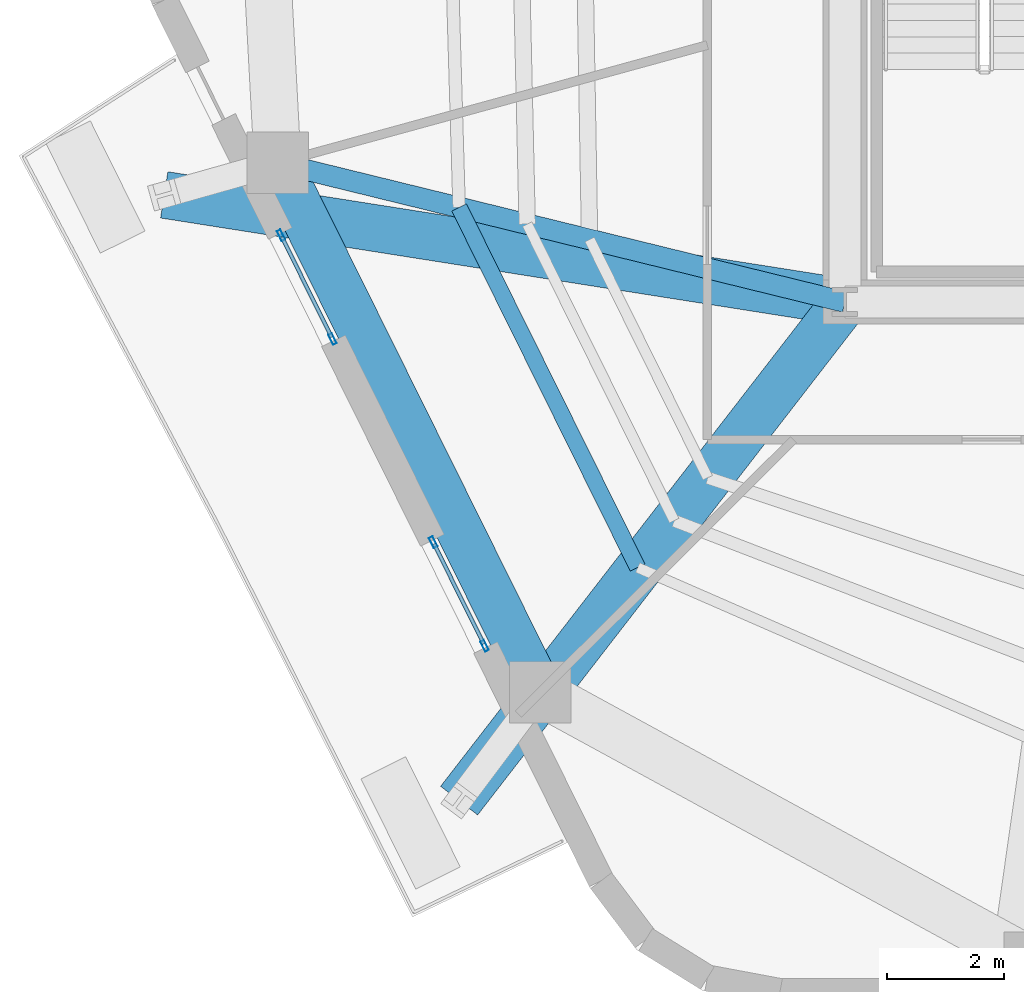
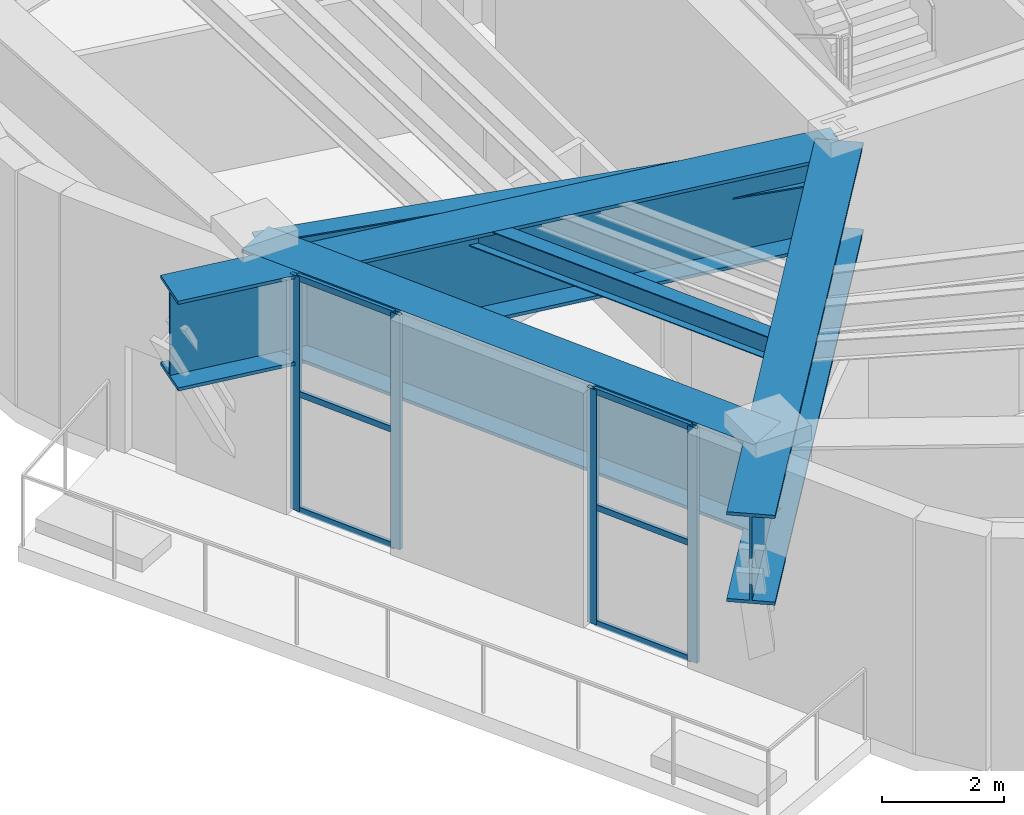
# One storey, part 2 of 18: 10 members, 5 beams, 2 elements without a shape of their own.
"""IFC4 building model written with IfcOpenShell, lengths in metres."""

import ifcopenshell
import ifcopenshell.guid

model = None  # the IFC model being written
_history = None  # IfcOwnerHistory: only IFC2X3 demands one
_inside = {}  # id of a spatial element -> (the spatial element, [elements in it])
_under = {}  # id of a project, library or spatial element -> (it, [spatial elements below it])
_declared = {}  # id of a project -> (the project, [libraries it declares])
_typed = {}  # id of a type object -> (the type object, [elements of that type])
_made_of = {}  # id of a material, layer set ... -> (it, [elements and type objects made of it])


def new_model(schema):
    """Start an empty IFC model of exactly this schema.

    Asked for "IFC4X3", IfcOpenShell would pick the latest addendum, in which some entities
    have other attributes; the version numbers below select the first issue.
    IFC2X3 requires an IfcOwnerHistory on every rooted entity: one is made here for all.
    """
    global model, _history
    if schema == "IFC4X3":
        model = ifcopenshell.file(schema_version=(4, 3, 0, 0))
    else:
        model = ifcopenshell.file(schema=schema)
    _inside.clear()
    _under.clear()
    _declared.clear()
    _typed.clear()
    _made_of.clear()
    _history = None
    if model.schema == "IFC2X3":
        org = make("IfcOrganization", Name="unknown")
        user = make(
            "IfcPersonAndOrganization",
            ThePerson=make("IfcPerson", FamilyName="unknown"),
            TheOrganization=org,
        )
        app = make(
            "IfcApplication",
            ApplicationDeveloper=org,
            Version="unknown",
            ApplicationFullName="unknown",
            ApplicationIdentifier="unknown",
        )
        _history = make(
            "IfcOwnerHistory",
            OwningUser=user,
            OwningApplication=app,
            ChangeAction="ADDED",
            CreationDate=0,
        )
    return model


def make(cls, **values):
    """One entity of the class cls with the attributes given. An attribute that is None is left unset."""
    return model.create_entity(
        cls, **{name: value for name, value in values.items() if value is not None}
    )


def rooted(cls, **values):
    """An entity with a GlobalId (a new one), such as an element, a storey or a relation."""
    return make(cls, GlobalId=ifcopenshell.guid.new(), OwnerHistory=_history, **values)


def si_unit(unit_type, name, prefix=None):
    """IfcSIUnit, for example si_unit("LENGTHUNIT", "METRE", prefix="MILLI")."""
    return make("IfcSIUnit", UnitType=unit_type, Prefix=prefix, Name=name)


def assignment(units):
    """IfcUnitAssignment: the units of a project."""
    return None if units is None else make("IfcUnitAssignment", Units=units)


def point(xyz):
    """IfcCartesianPoint."""
    return None if xyz is None else make("IfcCartesianPoint", Coordinates=xyz)


def direction(xyz):
    """IfcDirection."""
    return None if xyz is None else make("IfcDirection", DirectionRatios=xyz)


def frame(location, z_axis=None, x_axis=None):
    """IfcAxis2Placement3D, a coordinate frame: its origin and axes. An axis left out is left unset."""
    return make(
        "IfcAxis2Placement3D",
        Location=point(location),
        Axis=direction(z_axis),
        RefDirection=direction(x_axis),
    )


def frame_2d(location, x_axis=None):
    """IfcAxis2Placement2D, a coordinate frame in the plane: its origin and x axis."""
    return make(
        "IfcAxis2Placement2D", Location=point(location), RefDirection=direction(x_axis)
    )


def origin():
    """The frame at (0, 0, 0) with its axes left unset."""
    return frame((0.0, 0.0, 0.0))


def origin_2d():
    """The frame at (0, 0) in the plane with its x axis left unset."""
    return frame_2d((0.0, 0.0))


def place(relative_to, where):
    """IfcLocalPlacement: puts the frame where relative to a parent placement (None: the world)."""
    return make(
        "IfcLocalPlacement", PlacementRelTo=relative_to, RelativePlacement=where
    )


def context(
    kind, dimensions, precision=None, world=None, true_north=None, identifier=None
):
    """IfcGeometricRepresentationContext, for example the 3D "Model" context."""
    return make(
        "IfcGeometricRepresentationContext",
        ContextIdentifier=identifier,
        ContextType=kind,
        CoordinateSpaceDimension=dimensions,
        Precision=precision,
        WorldCoordinateSystem=world,
        TrueNorth=true_north,
    )


def subcontext(parent, identifier, kind, view, scale=None):
    """IfcGeometricRepresentationSubContext, for example "Body" below "Model"."""
    return make(
        "IfcGeometricRepresentationSubContext",
        ContextIdentifier=identifier,
        ContextType=kind,
        ParentContext=parent,
        TargetScale=scale,
        TargetView=view,
    )


def project(units=None, contexts=None):
    """IfcProject with its units and contexts."""
    return rooted(
        "IfcProject",
        Name="project",
        RepresentationContexts=contexts,
        UnitsInContext=assignment(units),
    )


def spatial(cls, under=None, at=None, **own):
    """A site, building, storey or space (cls), placed at a placement, below another one or the project."""
    s = rooted(cls, ObjectPlacement=at, **own)
    if under is not None:
        _under.setdefault(under.id(), (under, []))[1].append(s)
    return s


def profile(cls, at=None, kind="AREA", **sizes):
    """A parametric profile (cls). Its sizes go by their IFC names, for example OverallWidth=200.0."""
    return make(cls, ProfileType=kind, Position=at, **sizes)


def hollow_rectangle(**sizes):
    """IfcRectangleHollowProfileDef."""
    return profile("IfcRectangleHollowProfileDef", **sizes)


def i_section(**sizes):
    """IfcIShapeProfileDef."""
    return profile("IfcIShapeProfileDef", **sizes)


def extrude(swept, where, along, depth):
    """IfcExtrudedAreaSolid: the profile swept, set in the frame where, extruded along a direction by depth."""
    return make(
        "IfcExtrudedAreaSolid",
        SweptArea=swept,
        Position=where,
        ExtrudedDirection=direction(along),
        Depth=depth,
    )


def shape(context_of_items, identifier, shape_type, items):
    """IfcShapeRepresentation: the items that make up one representation, for example the "Body"."""
    return make(
        "IfcShapeRepresentation",
        ContextOfItems=context_of_items,
        RepresentationIdentifier=identifier,
        RepresentationType=shape_type,
        Items=items,
    )


def material(Name=None, Category=None):
    """IfcMaterial."""
    return make("IfcMaterial", Name=Name, Category=Category)


def layer(
    of_material, thickness, ventilated=None, Name=None, Category=None, Priority=None
):
    """IfcMaterialLayer: one layer of a wall or slab, of a material (None: an air gap)."""
    return make(
        "IfcMaterialLayer",
        Material=of_material,
        LayerThickness=thickness,
        IsVentilated=ventilated,
        Name=Name,
        Category=Category,
        Priority=Priority,
    )


def layer_set(layers, Name=None):
    """IfcMaterialLayerSet."""
    return make("IfcMaterialLayerSet", MaterialLayers=layers, LayerSetName=Name)


def material_profile(
    of_material, cross_section, Name=None, Category=None, Priority=None
):
    """IfcMaterialProfile: a cross section and its material."""
    return make(
        "IfcMaterialProfile",
        Name=Name,
        Material=of_material,
        Profile=cross_section,
        Priority=Priority,
        Category=Category,
    )


def profile_set(profiles, Name=None, composite=None):
    """IfcMaterialProfileSet."""
    return make(
        "IfcMaterialProfileSet",
        Name=Name,
        MaterialProfiles=profiles,
        CompositeProfile=composite,
    )


def made_of(thing, what):
    """Note that an element or type object is made of a material, layer set ...; save() writes the relation."""
    if what is not None:
        _made_of.setdefault(what.id(), (what, []))[1].append(thing)
    return thing


def type_object(cls, material=None, **own):
    """A type object (cls), such as IfcWallType, which elements share."""
    return made_of(rooted(cls, **own), material)


def element(
    cls,
    number,
    at=None,
    inside=None,
    cuts=None,
    type_object=None,
    material=None,
    context=None,
    identifier="Body",
    shape_type=None,
    held_by="IfcProductDefinitionShape",
    body=None,
    shapes=None,
    **own,
):
    """One element of the class cls, such as IfcWall. Its Tag is "e" and its number.

    at: its placement. inside: the storey or other place that contains it. cuts: it is an
    opening in that element (IfcRelVoidsElement). A single representation is given by context,
    identifier, shape_type and body (its items); several are given by shapes. held_by: the class
    of the entity that holds the representations. save() writes the other relations.
    """
    e = rooted(cls, Tag="e%d" % number, ObjectPlacement=at, **own)
    if body is not None:
        shapes = [shape(context, identifier, shape_type, body)]
    if shapes is not None:
        e.Representation = make(held_by, Representations=shapes)
    if inside is not None:
        _inside.setdefault(inside.id(), (inside, []))[1].append(e)
    if cuts is not None:
        rooted(
            "IfcRelVoidsElement", RelatingBuildingElement=cuts, RelatedOpeningElement=e
        )
    if type_object is not None:
        _typed.setdefault(type_object.id(), (type_object, []))[1].append(e)
    return made_of(e, material)


def aggregate(whole, parts):
    """IfcRelAggregates: a whole, such as a stair, and the parts it consists of."""
    return rooted("IfcRelAggregates", RelatingObject=whole, RelatedObjects=parts)


def save(model, path):
    """Write the relations noted so far, then the file.

    IfcRelAggregates (storeys below a building ...), IfcRelContainedInSpatialStructure (elements
    in a storey), IfcRelDefinesByType, IfcRelAssociatesMaterial and IfcRelDeclares: one each for
    every whole, place, type object, material and project.
    """
    for whole, parts in _under.values():
        aggregate(whole, parts)
    for where, things in _inside.values():
        rooted(
            "IfcRelContainedInSpatialStructure",
            RelatedElements=things,
            RelatingStructure=where,
        )
    for kind, things in _typed.values():
        rooted("IfcRelDefinesByType", RelatedObjects=things, RelatingType=kind)
    for what, things in _made_of.values():
        rooted("IfcRelAssociatesMaterial", RelatedObjects=things, RelatingMaterial=what)
    for by, libraries in _declared.values():
        rooted("IfcRelDeclares", RelatingContext=by, RelatedDefinitions=libraries)
    model.write(path)


model = new_model("IFC4")

# Units and contexts
model_context = context("Model", 3, precision=1e-05, world=origin(), true_north=direction((0.0, 1.0)))
body_context = subcontext(model_context, "Body", "Model", "MODEL_VIEW")
ifc_project = project(units=[si_unit("LENGTHUNIT", "METRE"), si_unit("AREAUNIT", "SQUARE_METRE"), si_unit("VOLUMEUNIT", "CUBIC_METRE"), si_unit("PLANEANGLEUNIT", "RADIAN"), si_unit("MASSUNIT", "GRAM", prefix="KILO")], contexts=[model_context])

# Site, building, storey
site_placement = place(None, origin())
site = spatial("IfcSite", under=ifc_project, at=site_placement, CompositionType="ELEMENT")
building_placement = place(site_placement, origin())
building = spatial("IfcBuilding", under=site, at=building_placement, Name="Kilnhurst Terrace Hotel", CompositionType="ELEMENT")
storey_placement = place(building_placement, frame((0.0, 0.0, 201.5)))
storey = spatial("IfcBuildingStorey", under=building, at=storey_placement, Name="L50", CompositionType="ELEMENT", Elevation=201.5)

# Beams
ifc_material_1 = material(Name="Steel ASTM A992 Grade 50", Category="steel")
ifc_material_profile_1 = material_profile(ifc_material_1, i_section(OverallWidth=0.354736328125, OverallDepth=0.695556640625, WebThickness=0.015380859375, FlangeThickness=0.025146484375, at=origin_2d()), Name="W27X146")
ifc_profile_set_1 = profile_set([ifc_material_profile_1], Name="Steel ASTM A992 Grade 50")
beam_type_1 = type_object("IfcBeamType", Name="BM-STL-W27X146", PredefinedType="BEAM", material=ifc_profile_set_1)
beam_1_placement = place(storey_placement, frame((-9.0, -7.5, 4.35205078125), z_axis=(-0.971212767405, 0.238213686486, 0.0), x_axis=(-0.238213686486, -0.971212767405, 0.0)))
element("IfcBeam", 1, at=beam_1_placement, inside=storey, type_object=beam_type_1, Name="L50 Radial Floor Beam 11", PredefinedType="BEAM", context=body_context, shape_type="SweptSolid", body=[
    extrude(i_section(OverallWidth=0.354736328125, OverallDepth=0.695556640625, WebThickness=0.015380859375, FlangeThickness=0.025146484375, at=origin_2d()), origin(), (0.0, 0.0, 1.0), 9.97412109375),
])
ifc_material_profile_2 = material_profile(ifc_material_1, i_section(OverallWidth=0.279296875, OverallDepth=0.462890625, WebThickness=0.0107421875, FlangeThickness=0.017333984375, at=origin_2d()), Name="W18X76")
ifc_profile_set_2 = profile_set([ifc_material_profile_2], Name="Steel ASTM A992 Grade 50")
beam_type_2 = type_object("IfcBeamType", Name="JST-STL-W18X76", PredefinedType="JOIST", material=ifc_profile_set_2)
beam_2_placement = place(storey_placement, frame((-15.587158203125, -5.88427734375, 4.468017578125), z_axis=(0.444180101574, -0.895937518673, 0.0), x_axis=(0.895937518673, 0.444180101574, 0.0)))
element("IfcBeam", 2, at=beam_2_placement, inside=storey, type_object=beam_type_2, Name="L50 Secondary Floor Steel Joist OUT.11", PredefinedType="JOIST", context=body_context, shape_type="SweptSolid", body=[
    extrude(i_section(OverallWidth=0.279296875, OverallDepth=0.462890625, WebThickness=0.0107421875, FlangeThickness=0.017333984375, at=origin_2d()), origin(), (0.0, 0.0, 1.0), 6.86279296875),
])

# Curtain wall, members
ifc_material_2 = material(Name="Anodized Aluminium Alloy 6063-T6 and Low-E Glass", Category="aluminium")
ifc_layer = layer(ifc_material_2, 0.219970703125, Name="Anodized Aluminium Alloy 6063-T6 and Low-E Glass")
ifc_layer_set = layer_set([ifc_layer], Name="Anodized Aluminium Alloy 6063-T6 and Low-E Glass")
curtain_wall_type = type_object("IfcCurtainWallType", Name="CW-SPA-L50", PredefinedType="NOTDEFINED", material=ifc_layer_set)
curtain_wall_1_placement = place(storey_placement, origin())
curtain_wall_1 = element("IfcCurtainWall", 3, at=curtain_wall_1_placement, inside=storey, type_object=curtain_wall_type, Name="L50 Curtain Wall CW-L50-F6-1", PredefinedType="NOTDEFINED")
ifc_material_3 = material(Name="Extruded Aluminium Alloy 6063-T6", Category="aluminium")
ifc_material_profile_3 = material_profile(ifc_material_3, hollow_rectangle(XDim=0.070068359375, YDim=0.18994140625, WallThickness=0.00390625, at=origin_2d()), Name="CWM70X190")
ifc_profile_set_3 = profile_set([ifc_material_profile_3], Name="Extruded Aluminium Alloy 6063-T6")
member_type_1 = type_object("IfcMemberType", Name="MEM-CWM70X190", PredefinedType="MULLION", material=ifc_profile_set_3)
member_1_placement = place(storey_placement, frame((-18.62646484375, -6.361328125, 0.0), z_axis=(0.0, 0.0, 1.0), x_axis=(0.895908102999, 0.444239429791, 0.0)))
member_1 = element("IfcMember", 4, at=member_1_placement, type_object=member_type_1, Name="CWA-4 mullion 1", PredefinedType="MULLION", context=body_context, shape_type="SweptSolid", body=[
    extrude(hollow_rectangle(XDim=0.070068359375, YDim=0.18994140625, WallThickness=0.00390625, at=origin_2d()), origin(), (0.0, 0.0, 1.0), 4.699951171875),
])
member_2_placement = place(storey_placement, frame((-17.74853515625, -8.131591796875, 0.0), z_axis=(0.0, 0.0, 1.0), x_axis=(0.895908102999, 0.444239429791, 0.0)))
member_2 = element("IfcMember", 5, at=member_2_placement, type_object=member_type_1, Name="CWA-4 mullion 2", PredefinedType="MULLION", context=body_context, shape_type="SweptSolid", body=[
    extrude(hollow_rectangle(XDim=0.070068359375, YDim=0.18994140625, WallThickness=0.00390625, at=origin_2d()), origin(), (0.0, 0.0, 1.0), 4.699951171875),
])

curtain_wall_2_placement = place(storey_placement, origin())
curtain_wall_2 = element("IfcCurtainWall", 6, at=curtain_wall_2_placement, inside=storey, type_object=curtain_wall_type, Name="L50 Curtain Wall CW-L50-F6-2", PredefinedType="NOTDEFINED")
member_3_placement = place(storey_placement, frame((-16.029296875, -11.598876953125, 0.0), z_axis=(0.0, 0.0, 1.0), x_axis=(0.895888649788, 0.44427865938, 0.0)))
member_3 = element("IfcMember", 7, at=member_3_placement, type_object=member_type_1, Name="CWA-4 mullion 1", PredefinedType="MULLION", context=body_context, shape_type="SweptSolid", body=[
    extrude(hollow_rectangle(XDim=0.070068359375, YDim=0.18994140625, WallThickness=0.00390625, at=origin_2d()), origin(), (0.0, 0.0, 1.0), 4.699951171875),
])
member_4_placement = place(storey_placement, frame((-15.1513671875, -13.369140625, 0.0), z_axis=(0.0, 0.0, 1.0), x_axis=(0.895888649788, 0.44427865938, 0.0)))
member_4 = element("IfcMember", 8, at=member_4_placement, type_object=member_type_1, Name="CWA-4 mullion 2", PredefinedType="MULLION", context=body_context, shape_type="SweptSolid", body=[
    extrude(hollow_rectangle(XDim=0.070068359375, YDim=0.18994140625, WallThickness=0.00390625, at=origin_2d()), origin(), (0.0, 0.0, 1.0), 4.699951171875),
])

# Member
ifc_material_profile_4 = material_profile(ifc_material_3, hollow_rectangle(XDim=0.06494140625, YDim=0.1201171875, WallThickness=0.00341796875, at=origin_2d()), Name="CWT65X120")
ifc_profile_set_4 = profile_set([ifc_material_profile_4], Name="Extruded Aluminium Alloy 6063-T6")
member_type_2 = type_object("IfcMemberType", Name="MEM-CWT65X120", PredefinedType="USERDEFINED", material=ifc_profile_set_4)
member_5_placement = place(storey_placement, frame((-18.61083984375, -6.392822265625, 0.032470703125), z_axis=(0.444239283955, -0.895908175312, 0.0), x_axis=(0.895908175312, 0.444239283955, 0.0)))
member_5 = element("IfcMember", 9, at=member_5_placement, type_object=member_type_2, Name="CWA-4 transom 1.1", ObjectType="TRANSOM", PredefinedType="USERDEFINED", context=body_context, shape_type="SweptSolid", body=[
    extrude(hollow_rectangle(XDim=0.06494140625, YDim=0.1201171875, WallThickness=0.00341796875, at=origin_2d()), origin(), (0.0, 0.0, 1.0), 1.906005859375),
])

member_6_placement = place(storey_placement, frame((-18.61083984375, -6.392822265625, 2.35009765625), z_axis=(0.444239283955, -0.895908175312, 0.0), x_axis=(0.895908175312, 0.444239283955, 0.0)))
member_6 = element("IfcMember", 10, at=member_6_placement, type_object=member_type_2, Name="CWA-4 transom 1.2", ObjectType="TRANSOM", PredefinedType="USERDEFINED", context=body_context, shape_type="SweptSolid", body=[
    extrude(hollow_rectangle(XDim=0.06494140625, YDim=0.1201171875, WallThickness=0.00341796875, at=origin_2d()), origin(), (0.0, 0.0, 1.0), 1.906005859375),
])

member_7_placement = place(storey_placement, frame((-18.61083984375, -6.392822265625, 4.66748046875), z_axis=(0.444239283955, -0.895908175312, 0.0), x_axis=(0.895908175312, 0.444239283955, 0.0)))
member_7 = element("IfcMember", 11, at=member_7_placement, type_object=member_type_2, Name="CWA-4 transom 1.3", ObjectType="TRANSOM", PredefinedType="USERDEFINED", context=body_context, shape_type="SweptSolid", body=[
    extrude(hollow_rectangle(XDim=0.06494140625, YDim=0.1201171875, WallThickness=0.00341796875, at=origin_2d()), origin(), (0.0, 0.0, 1.0), 1.906005859375),
])

aggregate(curtain_wall_1, [member_1, member_2, member_5, member_6, member_7])

member_8_placement = place(storey_placement, frame((-16.013916015625, -11.630126953125, 0.032470703125), z_axis=(0.444342092165, -0.895857190143, 0.0), x_axis=(0.895857190143, 0.444342092165, 0.0)))
member_8 = element("IfcMember", 12, at=member_8_placement, type_object=member_type_2, Name="CWA-4 transom 1.1", ObjectType="TRANSOM", PredefinedType="USERDEFINED", context=body_context, shape_type="SweptSolid", body=[
    extrude(hollow_rectangle(XDim=0.06494140625, YDim=0.1201171875, WallThickness=0.00341796875, at=origin_2d()), origin(), (0.0, 0.0, 1.0), 1.906005859375),
])

member_9_placement = place(storey_placement, frame((-16.013916015625, -11.630126953125, 2.35009765625), z_axis=(0.444342092165, -0.895857190143, 0.0), x_axis=(0.895857190143, 0.444342092165, 0.0)))
member_9 = element("IfcMember", 13, at=member_9_placement, type_object=member_type_2, Name="CWA-4 transom 1.2", ObjectType="TRANSOM", PredefinedType="USERDEFINED", context=body_context, shape_type="SweptSolid", body=[
    extrude(hollow_rectangle(XDim=0.06494140625, YDim=0.1201171875, WallThickness=0.00341796875, at=origin_2d()), origin(), (0.0, 0.0, 1.0), 1.906005859375),
])

member_10_placement = place(storey_placement, frame((-16.013916015625, -11.630126953125, 4.66748046875), z_axis=(0.444342092165, -0.895857190143, 0.0), x_axis=(0.895857190143, 0.444342092165, 0.0)))
member_10 = element("IfcMember", 14, at=member_10_placement, type_object=member_type_2, Name="CWA-4 transom 1.3", ObjectType="TRANSOM", PredefinedType="USERDEFINED", context=body_context, shape_type="SweptSolid", body=[
    extrude(hollow_rectangle(XDim=0.06494140625, YDim=0.1201171875, WallThickness=0.00341796875, at=origin_2d()), origin(), (0.0, 0.0, 1.0), 1.906005859375),
])

aggregate(curtain_wall_2, [member_3, member_4, member_8, member_9, member_10])

# Beams
ifc_material_4 = material(Name="Steel ASTM A572 Grade 50", Category="steel")
ifc_material_profile_5 = material_profile(ifc_material_4, i_section(OverallWidth=0.800048828125, OverallDepth=1.800048828125, WebThickness=0.0400390625, FlangeThickness=0.06494140625, at=origin_2d()), Name="PG1800X800")
ifc_profile_set_5 = profile_set([ifc_material_profile_5], Name="Steel ASTM A572 Grade 50")
beam_type_3 = type_object("IfcBeamType", Name="TG-STEP-1800", PredefinedType="USERDEFINED", material=ifc_profile_set_5)
beam_3_placement = place(storey_placement, frame((-18.68701171875, -5.1240234375, 3.800048828125), z_axis=(0.444192032261, -0.895931603682, 0.0), x_axis=(0.895931603682, 0.444192032261, 0.0)))
element("IfcBeam", 15, at=beam_3_placement, inside=storey, type_object=beam_type_3, Name="L50 Zone Step Perimeter Transfer Girder 11", ObjectType="GIRDER", PredefinedType="USERDEFINED", context=body_context, shape_type="SweptSolid", body=[
    extrude(i_section(OverallWidth=0.800048828125, OverallDepth=1.800048828125, WebThickness=0.0400390625, FlangeThickness=0.06494140625, at=origin_2d()), origin(), (0.0, 0.0, 1.0), 10.09228515625),
])
beam_4_placement = place(storey_placement, frame((-9.0, -7.5, 3.800048828125), z_axis=(-0.987828160163, 0.155549111179, 0.0), x_axis=(-0.155549111179, -0.987828160163, 0.0)))
element("IfcBeam", 16, at=beam_4_placement, inside=storey, type_object=beam_type_3, Name="L50 Zone Flare Radial Transfer Girder 11", ObjectType="GIRDER", PredefinedType="USERDEFINED", context=body_context, shape_type="SweptSolid", body=[
    extrude(i_section(OverallWidth=0.800048828125, OverallDepth=1.800048828125, WebThickness=0.0400390625, FlangeThickness=0.06494140625, at=origin_2d()), origin(), (0.0, 0.0, 1.0), 11.765380859375),
])
beam_5_placement = place(storey_placement, frame((-9.0, -7.5, 3.800048828125), z_axis=(-0.611955412533, -0.790892263884, 0.0), x_axis=(0.790892263884, -0.611955412533, 0.0)))
element("IfcBeam", 17, at=beam_5_placement, inside=storey, type_object=beam_type_3, Name="L50 Zone Flare Radial Transfer Girder 12", ObjectType="GIRDER", PredefinedType="USERDEFINED", context=body_context, shape_type="SweptSolid", body=[
    extrude(i_section(OverallWidth=0.800048828125, OverallDepth=1.800048828125, WebThickness=0.0400390625, FlangeThickness=0.06494140625, at=origin_2d()), origin(), (0.0, 0.0, 1.0), 10.763671875),
])

save(model, "model.ifc")
